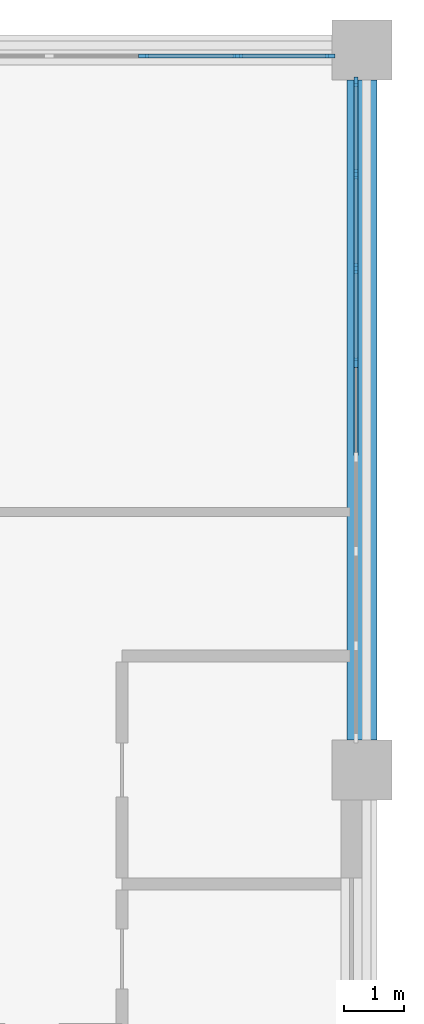
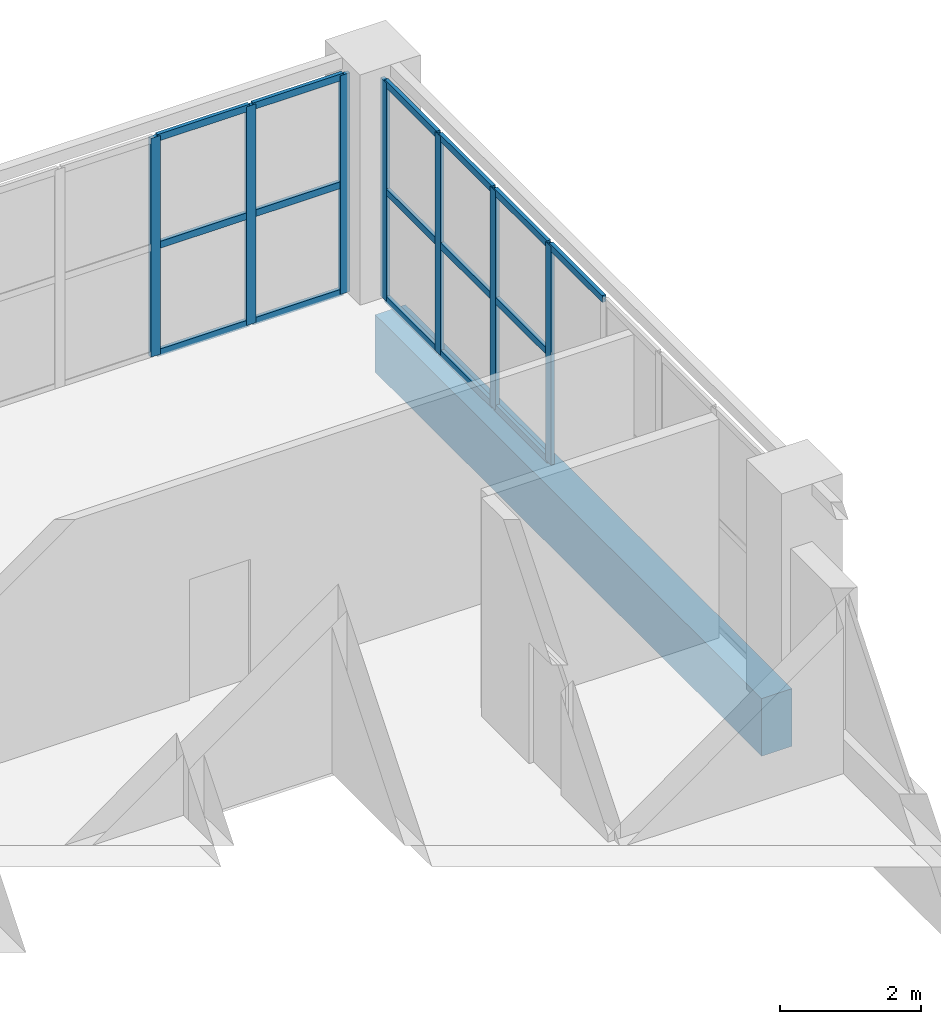
# One storey, part 133 of 156: 23 members, 1 beam, 2 elements without a shape of their own.
"""IFC4 building model written with IfcOpenShell, lengths in metres."""

from ifc_helpers import new_model, si_unit, direction, frame, origin, origin_2d, place, context, subcontext, project, spatial, rectangle, extrude, material, layer, layer_set, material_profile, profile_set, type_object, element, aggregate, save


model = new_model("IFC4")

# Units and contexts
model_context = context("Model", 3, precision=1e-05, world=origin(), true_north=direction((0.0, 1.0)))
body_context = subcontext(model_context, "Body", "Model", "MODEL_VIEW")
ifc_project = project(units=[si_unit("LENGTHUNIT", "METRE"), si_unit("AREAUNIT", "SQUARE_METRE"), si_unit("VOLUMEUNIT", "CUBIC_METRE"), si_unit("PLANEANGLEUNIT", "RADIAN"), si_unit("MASSUNIT", "GRAM", prefix="KILO")], contexts=[model_context])

# Site, building, storey
site_placement = place(None, origin())
site = spatial("IfcSite", under=ifc_project, at=site_placement, CompositionType="ELEMENT")
building_placement = place(site_placement, origin())
building = spatial("IfcBuilding", under=site, at=building_placement, Name="Lilac Gate Convention Centre", CompositionType="ELEMENT")
storey_placement = place(building_placement, frame((0.0, 0.0, 17.0)))
storey = spatial("IfcBuildingStorey", under=building, at=storey_placement, Name="L03", CompositionType="ELEMENT", Elevation=17.0)

# Curtain wall, members
ifc_material_1 = material(Name="Aluminium framed double glazing", Category="aluminium")
ifc_layer = layer(ifc_material_1, 0.199951171875)
ifc_layer_set = layer_set([ifc_layer], Name="Aluminium framed double glazing")
curtain_wall_type = type_object("IfcCurtainWallType", Name="Unitised curtain wall 1500", PredefinedType="NOTDEFINED", material=ifc_layer_set)
curtain_wall_1_placement = place(storey_placement, origin())
curtain_wall_1 = element("IfcCurtainWall", 1, at=curtain_wall_1_placement, inside=storey, type_object=curtain_wall_type, Name="Curtain wall E L03 2", PredefinedType="NOTDEFINED")
ifc_material_2 = material(Name="Aluminium alloy 6063", Category="aluminium")
ifc_material_profile_1 = material_profile(ifc_material_2, rectangle(XDim=0.06005859375, YDim=0.159912109375, at=origin_2d()), Name="Curtain wall mullion 60 x 160")
ifc_profile_set_1 = profile_set([ifc_material_profile_1], Name="Aluminium alloy 6063")
member_type_1 = type_object("IfcMemberType", Name="Curtain wall mullion 60 x 160", PredefinedType="MULLION", material=ifc_profile_set_1)
member_1_placement = place(storey_placement, frame((89.89990234375, 240.78564453125, 0.0), z_axis=(0.0, 0.0, 1.0), x_axis=(-1.0, 0.0, 0.0)))
member_1 = element("IfcMember", 2, at=member_1_placement, type_object=member_type_1, Name="CW mullion 5", PredefinedType="MULLION", context=body_context, shape_type="SweptSolid", body=[
    extrude(rectangle(XDim=0.06005859375, YDim=0.159912109375, at=origin_2d()), origin(), (0.0, 0.0, 1.0), 3.800048828125),
])
member_2_placement = place(storey_placement, frame((89.89990234375, 242.357177734375, 0.0), z_axis=(0.0, 0.0, 1.0), x_axis=(-1.0, 0.0, 0.0)))
member_2 = element("IfcMember", 3, at=member_2_placement, type_object=member_type_1, Name="CW mullion 6", PredefinedType="MULLION", context=body_context, shape_type="SweptSolid", body=[
    extrude(rectangle(XDim=0.06005859375, YDim=0.159912109375, at=origin_2d()), origin(), (0.0, 0.0, 1.0), 3.800048828125),
])
member_3_placement = place(storey_placement, frame((89.89990234375, 243.928466796875, 0.0), z_axis=(0.0, 0.0, 1.0), x_axis=(-1.0, 0.0, 0.0)))
member_3 = element("IfcMember", 4, at=member_3_placement, type_object=member_type_1, Name="CW mullion 7", PredefinedType="MULLION", context=body_context, shape_type="SweptSolid", body=[
    extrude(rectangle(XDim=0.06005859375, YDim=0.159912109375, at=origin_2d()), origin(), (0.0, 0.0, 1.0), 3.800048828125),
])
member_4_placement = place(storey_placement, frame((89.89990234375, 245.469970703125, 0.0), z_axis=(0.0, 0.0, 1.0), x_axis=(-1.0, 0.0, 0.0)))
member_4 = element("IfcMember", 5, at=member_4_placement, type_object=member_type_1, Name="CW mullion 8", PredefinedType="MULLION", context=body_context, shape_type="SweptSolid", body=[
    extrude(rectangle(XDim=0.06005859375, YDim=0.159912109375, at=origin_2d()), origin(), (0.0, 0.0, 1.0), 3.800048828125),
])

curtain_wall_2_placement = place(storey_placement, origin())
curtain_wall_2 = element("IfcCurtainWall", 6, at=curtain_wall_2_placement, inside=storey, type_object=curtain_wall_type, Name="Curtain wall N L03 1", PredefinedType="NOTDEFINED")
member_5_placement = place(storey_placement, frame((89.469970703125, 245.89990234375, 0.0), z_axis=(0.0, 0.0, 1.0), x_axis=(0.0, -1.0, 0.0)))
member_5 = element("IfcMember", 7, at=member_5_placement, type_object=member_type_1, Name="CW mullion 1", PredefinedType="MULLION", context=body_context, shape_type="SweptSolid", body=[
    extrude(rectangle(XDim=0.06005859375, YDim=0.159912109375, at=origin_2d()), origin(), (0.0, 0.0, 1.0), 3.800048828125),
])
member_6_placement = place(storey_placement, frame((87.928466796875, 245.89990234375, 0.0), z_axis=(0.0, 0.0, 1.0), x_axis=(0.0, -1.0, 0.0)))
member_6 = element("IfcMember", 8, at=member_6_placement, type_object=member_type_1, Name="CW mullion 2", PredefinedType="MULLION", context=body_context, shape_type="SweptSolid", body=[
    extrude(rectangle(XDim=0.06005859375, YDim=0.159912109375, at=origin_2d()), origin(), (0.0, 0.0, 1.0), 3.800048828125),
])
member_7_placement = place(storey_placement, frame((86.357177734375, 245.89990234375, 0.0), z_axis=(0.0, 0.0, 1.0), x_axis=(0.0, -1.0, 0.0)))
member_7 = element("IfcMember", 9, at=member_7_placement, type_object=member_type_1, Name="CW mullion 3", PredefinedType="MULLION", context=body_context, shape_type="SweptSolid", body=[
    extrude(rectangle(XDim=0.06005859375, YDim=0.159912109375, at=origin_2d()), origin(), (0.0, 0.0, 1.0), 3.800048828125),
])

# Member
ifc_material_profile_2 = material_profile(ifc_material_2, rectangle(XDim=0.06005859375, YDim=0.1201171875, at=origin_2d()), Name="Curtain wall transom 60 x 120")
ifc_profile_set_2 = profile_set([ifc_material_profile_2], Name="Aluminium alloy 6063")
member_type_2 = type_object("IfcMemberType", Name="Curtain wall transom 60 x 120", PredefinedType="USERDEFINED", material=ifc_profile_set_2)
member_8_placement = place(storey_placement, frame((89.89990234375, 239.244384765625, 3.77001953125), z_axis=(0.0, 1.0, 0.0), x_axis=(-1.0, 0.0, 0.0)))
member_8 = element("IfcMember", 10, at=member_8_placement, type_object=member_type_2, Name="CW transom 4.3", ObjectType="TRANSOM", PredefinedType="USERDEFINED", context=body_context, shape_type="SweptSolid", body=[
    extrude(rectangle(XDim=0.06005859375, YDim=0.1201171875, at=origin_2d()), origin(), (0.0, 0.0, 1.0), 1.51123046875),
])

member_9_placement = place(storey_placement, frame((89.89990234375, 240.815673828125, 0.030029296875), z_axis=(0.0, 1.0, 0.0), x_axis=(-1.0, 0.0, 0.0)))
member_9 = element("IfcMember", 11, at=member_9_placement, type_object=member_type_2, Name="CW transom 5.1", ObjectType="TRANSOM", PredefinedType="USERDEFINED", context=body_context, shape_type="SweptSolid", body=[
    extrude(rectangle(XDim=0.06005859375, YDim=0.1201171875, at=origin_2d()), origin(), (0.0, 0.0, 1.0), 1.511474609375),
])

member_10_placement = place(storey_placement, frame((89.89990234375, 240.815673828125, 1.89990234375), z_axis=(0.0, 1.0, 0.0), x_axis=(-1.0, 0.0, 0.0)))
member_10 = element("IfcMember", 12, at=member_10_placement, type_object=member_type_2, Name="CW transom 5.2", ObjectType="TRANSOM", PredefinedType="USERDEFINED", context=body_context, shape_type="SweptSolid", body=[
    extrude(rectangle(XDim=0.06005859375, YDim=0.1201171875, at=origin_2d()), origin(), (0.0, 0.0, 1.0), 1.511474609375),
])

member_11_placement = place(storey_placement, frame((89.89990234375, 240.815673828125, 3.77001953125), z_axis=(0.0, 1.0, 0.0), x_axis=(-1.0, 0.0, 0.0)))
member_11 = element("IfcMember", 13, at=member_11_placement, type_object=member_type_2, Name="CW transom 5.3", ObjectType="TRANSOM", PredefinedType="USERDEFINED", context=body_context, shape_type="SweptSolid", body=[
    extrude(rectangle(XDim=0.06005859375, YDim=0.1201171875, at=origin_2d()), origin(), (0.0, 0.0, 1.0), 1.511474609375),
])

member_12_placement = place(storey_placement, frame((89.89990234375, 242.38720703125, 0.030029296875), z_axis=(0.0, 1.0, 0.0), x_axis=(-1.0, 0.0, 0.0)))
member_12 = element("IfcMember", 14, at=member_12_placement, type_object=member_type_2, Name="CW transom 6.1", ObjectType="TRANSOM", PredefinedType="USERDEFINED", context=body_context, shape_type="SweptSolid", body=[
    extrude(rectangle(XDim=0.06005859375, YDim=0.1201171875, at=origin_2d()), origin(), (0.0, 0.0, 1.0), 1.511474609375),
])

member_13_placement = place(storey_placement, frame((89.89990234375, 242.38720703125, 1.89990234375), z_axis=(0.0, 1.0, 0.0), x_axis=(-1.0, 0.0, 0.0)))
member_13 = element("IfcMember", 15, at=member_13_placement, type_object=member_type_2, Name="CW transom 6.2", ObjectType="TRANSOM", PredefinedType="USERDEFINED", context=body_context, shape_type="SweptSolid", body=[
    extrude(rectangle(XDim=0.06005859375, YDim=0.1201171875, at=origin_2d()), origin(), (0.0, 0.0, 1.0), 1.511474609375),
])

member_14_placement = place(storey_placement, frame((89.89990234375, 242.38720703125, 3.77001953125), z_axis=(0.0, 1.0, 0.0), x_axis=(-1.0, 0.0, 0.0)))
member_14 = element("IfcMember", 16, at=member_14_placement, type_object=member_type_2, Name="CW transom 6.3", ObjectType="TRANSOM", PredefinedType="USERDEFINED", context=body_context, shape_type="SweptSolid", body=[
    extrude(rectangle(XDim=0.06005859375, YDim=0.1201171875, at=origin_2d()), origin(), (0.0, 0.0, 1.0), 1.511474609375),
])

member_15_placement = place(storey_placement, frame((89.89990234375, 243.95849609375, 0.030029296875), z_axis=(0.0, 1.0, 0.0), x_axis=(-1.0, 0.0, 0.0)))
member_15 = element("IfcMember", 17, at=member_15_placement, type_object=member_type_2, Name="CW transom 7.1", ObjectType="TRANSOM", PredefinedType="USERDEFINED", context=body_context, shape_type="SweptSolid", body=[
    extrude(rectangle(XDim=0.06005859375, YDim=0.1201171875, at=origin_2d()), origin(), (0.0, 0.0, 1.0), 1.4814453125),
])

member_16_placement = place(storey_placement, frame((89.89990234375, 243.95849609375, 1.89990234375), z_axis=(0.0, 1.0, 0.0), x_axis=(-1.0, 0.0, 0.0)))
member_16 = element("IfcMember", 18, at=member_16_placement, type_object=member_type_2, Name="CW transom 7.2", ObjectType="TRANSOM", PredefinedType="USERDEFINED", context=body_context, shape_type="SweptSolid", body=[
    extrude(rectangle(XDim=0.06005859375, YDim=0.1201171875, at=origin_2d()), origin(), (0.0, 0.0, 1.0), 1.4814453125),
])

member_17_placement = place(storey_placement, frame((89.89990234375, 243.95849609375, 3.77001953125), z_axis=(0.0, 1.0, 0.0), x_axis=(-1.0, 0.0, 0.0)))
member_17 = element("IfcMember", 19, at=member_17_placement, type_object=member_type_2, Name="CW transom 7.3", ObjectType="TRANSOM", PredefinedType="USERDEFINED", context=body_context, shape_type="SweptSolid", body=[
    extrude(rectangle(XDim=0.06005859375, YDim=0.1201171875, at=origin_2d()), origin(), (0.0, 0.0, 1.0), 1.4814453125),
])

aggregate(curtain_wall_1, [member_1, member_2, member_3, member_4, member_8, member_9, member_10, member_11, member_12, member_13, member_14, member_15, member_16, member_17])

member_18_placement = place(storey_placement, frame((89.43994140625, 245.89990234375, 0.030029296875), z_axis=(-1.0, 0.0, 0.0), x_axis=(0.0, -1.0, 0.0)))
member_18 = element("IfcMember", 20, at=member_18_placement, type_object=member_type_2, Name="CW transom 1.1", ObjectType="TRANSOM", PredefinedType="USERDEFINED", context=body_context, shape_type="SweptSolid", body=[
    extrude(rectangle(XDim=0.06005859375, YDim=0.1201171875, at=origin_2d()), origin(), (0.0, 0.0, 1.0), 1.4814453125),
])

member_19_placement = place(storey_placement, frame((89.43994140625, 245.89990234375, 1.89990234375), z_axis=(-1.0, 0.0, 0.0), x_axis=(0.0, -1.0, 0.0)))
member_19 = element("IfcMember", 21, at=member_19_placement, type_object=member_type_2, Name="CW transom 1.2", ObjectType="TRANSOM", PredefinedType="USERDEFINED", context=body_context, shape_type="SweptSolid", body=[
    extrude(rectangle(XDim=0.06005859375, YDim=0.1201171875, at=origin_2d()), origin(), (0.0, 0.0, 1.0), 1.4814453125),
])

member_20_placement = place(storey_placement, frame((89.43994140625, 245.89990234375, 3.77001953125), z_axis=(-1.0, 0.0, 0.0), x_axis=(0.0, -1.0, 0.0)))
member_20 = element("IfcMember", 22, at=member_20_placement, type_object=member_type_2, Name="CW transom 1.3", ObjectType="TRANSOM", PredefinedType="USERDEFINED", context=body_context, shape_type="SweptSolid", body=[
    extrude(rectangle(XDim=0.06005859375, YDim=0.1201171875, at=origin_2d()), origin(), (0.0, 0.0, 1.0), 1.4814453125),
])

member_21_placement = place(storey_placement, frame((87.898681640625, 245.89990234375, 0.030029296875), z_axis=(-1.0, 0.0, 0.0), x_axis=(0.0, -1.0, 0.0)))
member_21 = element("IfcMember", 23, at=member_21_placement, type_object=member_type_2, Name="CW transom 2.1", ObjectType="TRANSOM", PredefinedType="USERDEFINED", context=body_context, shape_type="SweptSolid", body=[
    extrude(rectangle(XDim=0.06005859375, YDim=0.1201171875, at=origin_2d()), origin(), (0.0, 0.0, 1.0), 1.511474609375),
])

member_22_placement = place(storey_placement, frame((87.898681640625, 245.89990234375, 1.89990234375), z_axis=(-1.0, 0.0, 0.0), x_axis=(0.0, -1.0, 0.0)))
member_22 = element("IfcMember", 24, at=member_22_placement, type_object=member_type_2, Name="CW transom 2.2", ObjectType="TRANSOM", PredefinedType="USERDEFINED", context=body_context, shape_type="SweptSolid", body=[
    extrude(rectangle(XDim=0.06005859375, YDim=0.1201171875, at=origin_2d()), origin(), (0.0, 0.0, 1.0), 1.511474609375),
])

member_23_placement = place(storey_placement, frame((87.898681640625, 245.89990234375, 3.77001953125), z_axis=(-1.0, 0.0, 0.0), x_axis=(0.0, -1.0, 0.0)))
member_23 = element("IfcMember", 25, at=member_23_placement, type_object=member_type_2, Name="CW transom 2.3", ObjectType="TRANSOM", PredefinedType="USERDEFINED", context=body_context, shape_type="SweptSolid", body=[
    extrude(rectangle(XDim=0.06005859375, YDim=0.1201171875, at=origin_2d()), origin(), (0.0, 0.0, 1.0), 1.511474609375),
])

aggregate(curtain_wall_2, [member_5, member_6, member_7, member_18, member_19, member_20, member_21, member_22, member_23])

# Beam
ifc_material_3 = material(Name="Concrete C40", Category="concrete")
ifc_material_profile_3 = material_profile(ifc_material_3, rectangle(XDim=0.5, YDim=1.0, at=origin_2d()), Name="RC 500x1000")
ifc_profile_set_3 = profile_set([ifc_material_profile_3], Name="Concrete C40")
beam_type = type_object("IfcBeamType", Name="Primary beam 500x1000 C40", PredefinedType="BEAM", material=ifc_profile_set_3)
beam_placement = place(storey_placement, frame((90.0, 234.5, -0.75), z_axis=(0.0, 1.0, 0.0), x_axis=(-1.0, 0.0, 0.0)))
element("IfcBeam", 26, at=beam_placement, inside=storey, type_object=beam_type, Name="RB1 L03 8/T-8/U", PredefinedType="BEAM", context=body_context, shape_type="SweptSolid", body=[
    extrude(rectangle(XDim=0.5, YDim=1.0, at=origin_2d()), origin(), (0.0, 0.0, 1.0), 11.0),
])

save(model, "model.ifc")
